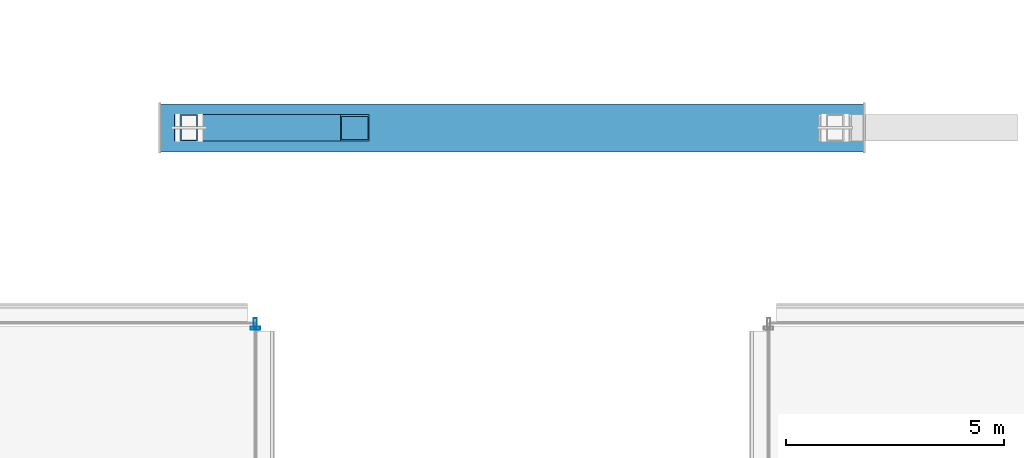
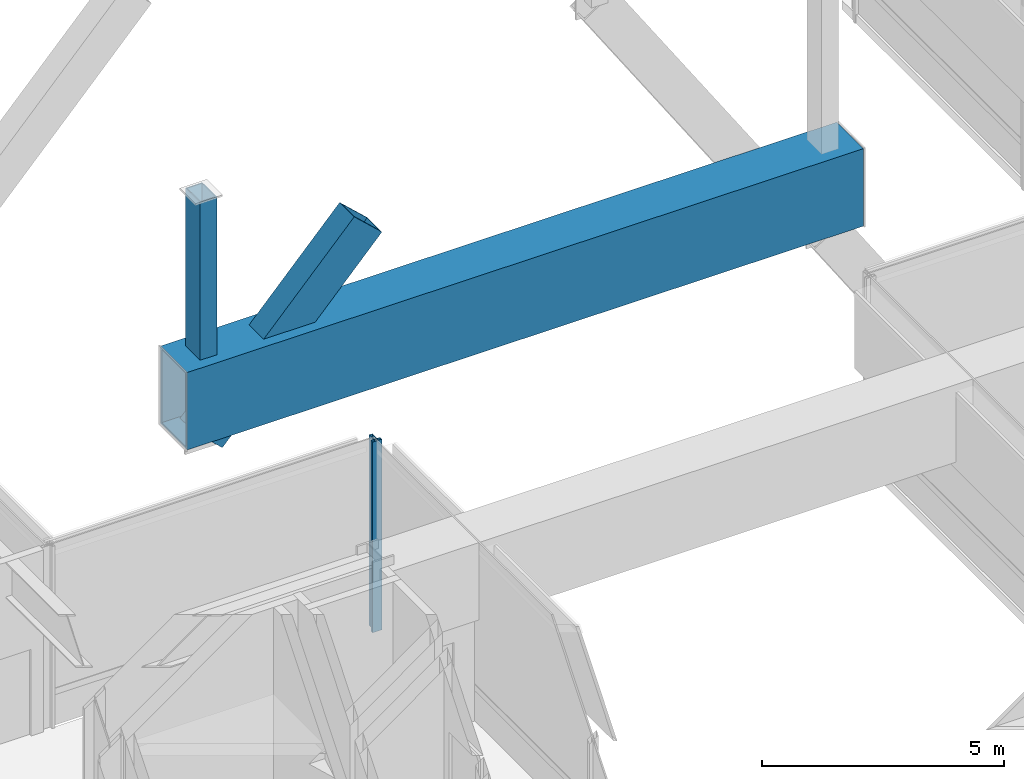
# One storey, part 19 of 42: 4 members, 1 beam, 2 elements without a shape of their own.
"""IFC4 building model written with IfcOpenShell, lengths in metres."""

from ifc_helpers import new_model, si_unit, direction, frame, origin, origin_2d, place, context, subcontext, project, spatial, hollow_rectangle, extrude, material, layer, layer_set, material_profile, profile_set, type_object, element, aggregate, save


model = new_model("IFC4")

# Units and contexts
model_context = context("Model", 3, precision=1e-05, world=origin(), true_north=direction((0.0, 1.0)))
body_context = subcontext(model_context, "Body", "Model", "MODEL_VIEW")
ifc_project = project(units=[si_unit("LENGTHUNIT", "METRE"), si_unit("AREAUNIT", "SQUARE_METRE"), si_unit("VOLUMEUNIT", "CUBIC_METRE"), si_unit("PLANEANGLEUNIT", "RADIAN"), si_unit("MASSUNIT", "GRAM", prefix="KILO")], contexts=[model_context])

# Site, building, storey
site_placement = place(None, origin())
site = spatial("IfcSite", under=ifc_project, at=site_placement, CompositionType="ELEMENT")
building_placement = place(site_placement, origin())
building = spatial("IfcBuilding", under=site, at=building_placement, Name="Brelmoor Portico Tower", CompositionType="ELEMENT")
storey_placement = place(building_placement, frame((0.0, 0.0, 9.60009765625)))
storey = spatial("IfcBuildingStorey", under=building, at=storey_placement, Name="L02", CompositionType="ELEMENT", Elevation=9.60009765625)

# Beam
ifc_material_1 = material(Name="Steel Q420B", Category="steel")
ifc_material_profile_1 = material_profile(ifc_material_1, hollow_rectangle(XDim=1.10009765625, YDim=1.949951171875, WallThickness=0.054931640625, at=origin_2d()), Name="BOX 1100x1950x55")
ifc_profile_set_1 = profile_set([ifc_material_profile_1], Name="Steel Q420B")
beam_type = type_object("IfcBeamType", Name="BM-TG-ARCH", PredefinedType="BEAM", material=ifc_profile_set_1)
beam_placement = place(storey_placement, frame((-8.050048828125, 18.050048828125, 3.60498046875), z_axis=(1.0, 0.0, 0.0), x_axis=(0.0, 1.0, 0.0)))
element("IfcBeam", 1, at=beam_placement, inside=storey, type_object=beam_type, Name="L02 Portico Arch Transfer Box Girder TG-ARCH-05", PredefinedType="BEAM", context=body_context, shape_type="SweptSolid", body=[
    extrude(hollow_rectangle(XDim=1.10009765625, YDim=1.949951171875, WallThickness=0.054931640625, at=origin_2d()), origin(), (0.0, 0.0, 1.0), 16.10009765625),
])

# Members
ifc_material_profile_2 = material_profile(ifc_material_1, hollow_rectangle(XDim=0.60009765625, YDim=0.89990234375, WallThickness=0.035888671875, at=origin_2d()), Name="RHS 600x900x36")
ifc_profile_set_2 = profile_set([ifc_material_profile_2], Name="Steel Q420B")
member_type_1 = type_object("IfcMemberType", Name="MB-ARCH-RIB", PredefinedType="CHORD", material=ifc_profile_set_2)
member_1_placement = place(storey_placement, frame((-7.39990234375, 18.050048828125, 2.5), z_axis=(0.679758934969, 0.0, 0.733435607487), x_axis=(0.0, 1.0, 0.0)))
element("IfcMember", 2, at=member_1_placement, inside=storey, type_object=member_type_1, Name="Giant Portico Arch Rib N2-3", PredefinedType="CHORD", context=body_context, shape_type="SweptSolid", body=[
    extrude(hollow_rectangle(XDim=0.60009765625, YDim=0.89990234375, WallThickness=0.035888671875, at=origin_2d()), origin(), (0.0, 0.0, 1.0), 5.58984375),
])
ifc_material_2 = material(Name="Steel Q355B", Category="steel")
ifc_material_profile_3 = material_profile(ifc_material_2, hollow_rectangle(XDim=0.39990234375, YDim=0.60009765625, WallThickness=0.02392578125, at=origin_2d()), Name="RHS 400x600x24")
ifc_profile_set_3 = profile_set([ifc_material_profile_3], Name="Steel Q355B")
member_type_2 = type_object("IfcMemberType", Name="MB-ARCH-STRUT", PredefinedType="BRACE", material=ifc_profile_set_3)
member_2_placement = place(storey_placement, frame((-7.39990234375, 18.050048828125, 2.5), z_axis=(0.0, 0.0, 1.0), x_axis=(1.0, 0.0, 0.0)))
element("IfcMember", 3, at=member_2_placement, inside=storey, type_object=member_type_2, Name="Portico Arch Spandrel Strut N2-2", PredefinedType="BRACE", context=body_context, shape_type="SweptSolid", body=[
    extrude(hollow_rectangle(XDim=0.39990234375, YDim=0.60009765625, WallThickness=0.02392578125, at=origin_2d()), origin(), (0.0, 0.0, 1.0), 6.054931640625),
])

# Curtain wall, member
ifc_material_3 = material(Name="Anodised Aluminium Alloy 6063-T6", Category="aluminium")
ifc_layer = layer(ifc_material_3, 0.179931640625)
ifc_layer_set = layer_set([ifc_layer], Name="Anodised Aluminium Alloy 6063-T6")
curtain_wall_type = type_object("IfcCurtainWallType", Name="CW-PODIUM-ARCH", PredefinedType="NOTDEFINED", material=ifc_layer_set)
curtain_wall_1_placement = place(storey_placement, origin())
curtain_wall_1 = element("IfcCurtainWall", 4, at=curtain_wall_1_placement, inside=storey, type_object=curtain_wall_type, Name="L02 Curtain Wall CW-L02-13", PredefinedType="NOTDEFINED")
ifc_material_profile_4 = material_profile(ifc_material_3, hollow_rectangle(XDim=0.074951171875, YDim=0.219970703125, WallThickness=0.0048828125, at=origin_2d()), Name="ALU MULLION 75x220")
ifc_profile_set_4 = profile_set([ifc_material_profile_4], Name="Anodised Aluminium Alloy 6063-T6")
member_type_3 = type_object("IfcMemberType", Name="MB-CW-MULL-220", PredefinedType="MULLION", material=ifc_profile_set_4)
member_3_placement = place(storey_placement, frame((-5.8798828125, 13.580078125, -0.22021484375), z_axis=(0.0, 0.0, 1.0), x_axis=(1.0, 0.0, 0.0)))
member_3 = element("IfcMember", 5, at=member_3_placement, type_object=member_type_3, Name="CW-L02-13 Mullion 01", PredefinedType="MULLION", context=body_context, shape_type="SweptSolid", body=[
    extrude(hollow_rectangle(XDim=0.074951171875, YDim=0.219970703125, WallThickness=0.0048828125, at=origin_2d()), origin(), (0.0, 0.0, 1.0), 4.800048828125),
])
aggregate(curtain_wall_1, [member_3])

curtain_wall_2_placement = place(storey_placement, origin())
curtain_wall_2 = element("IfcCurtainWall", 6, at=curtain_wall_2_placement, inside=storey, type_object=curtain_wall_type, Name="L02 Curtain Wall CW-L02-15", PredefinedType="NOTDEFINED")
member_4_placement = place(storey_placement, frame((-5.8798828125, 13.4599609375, -0.22021484375), z_axis=(0.0, 0.0, 1.0), x_axis=(0.0, 1.0, 0.0)))
member_4 = element("IfcMember", 7, at=member_4_placement, type_object=member_type_3, Name="CW-L02-15 Mullion 03", PredefinedType="MULLION", context=body_context, shape_type="SweptSolid", body=[
    extrude(hollow_rectangle(XDim=0.074951171875, YDim=0.219970703125, WallThickness=0.0048828125, at=origin_2d()), origin(), (0.0, 0.0, 1.0), 4.800048828125),
])
aggregate(curtain_wall_2, [member_4])

save(model, "model.ifc")
